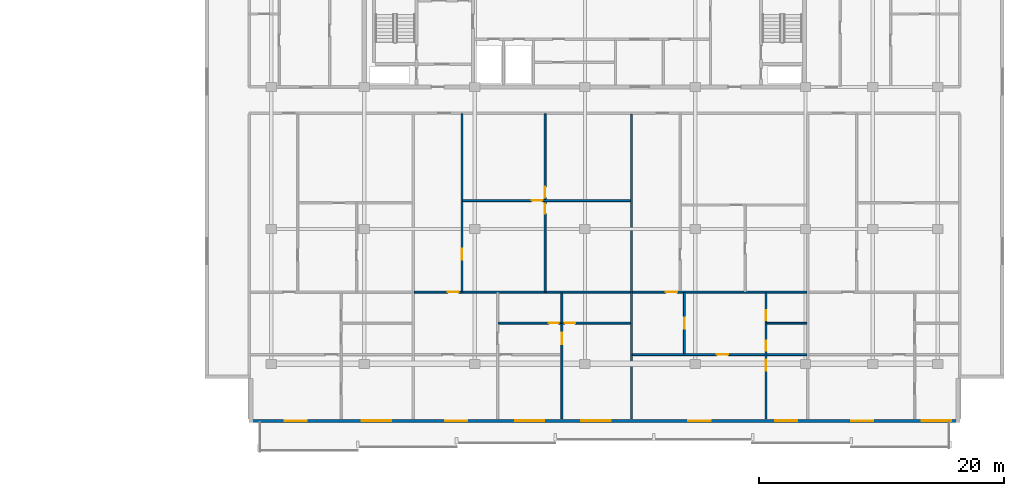
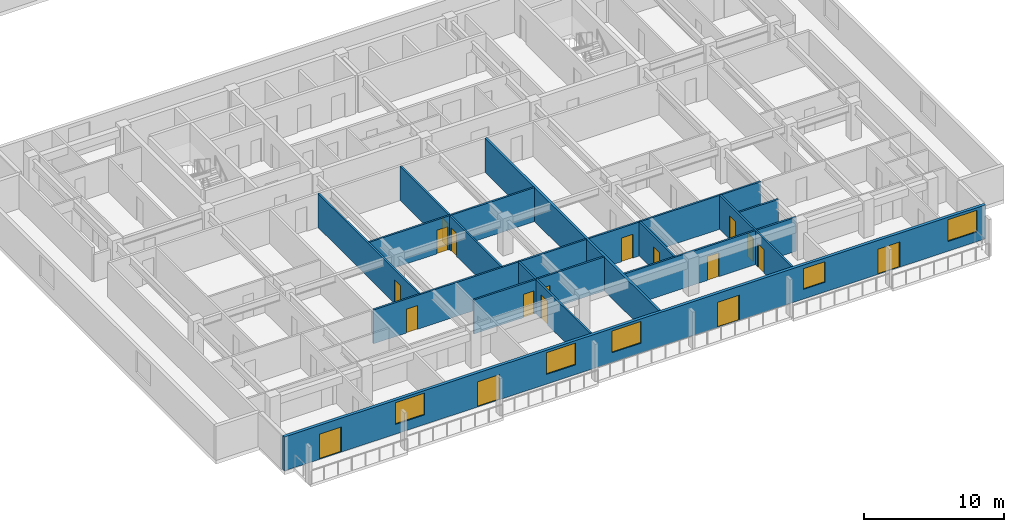
# One storey, part 5 of 22: 18 doors, 14 walls, 5 windows, 23 openings.
"""IFC4 building model written with IfcOpenShell, lengths in metres."""

from ifc_helpers import new_model, si_unit, direction, frame, frame_2d, origin, place, context, subcontext, project, spatial, rectangle, extrude, material, layer, layer_set, type_object, element, fill, save


model = new_model("IFC4")

# Units and contexts
model_context = context("Model", 3, precision=1e-05, world=origin(), true_north=direction((0.0, 1.0)))
body_context = subcontext(model_context, "Body", "Model", "MODEL_VIEW")
ifc_project = project(units=[si_unit("LENGTHUNIT", "METRE"), si_unit("AREAUNIT", "SQUARE_METRE"), si_unit("VOLUMEUNIT", "CUBIC_METRE"), si_unit("PLANEANGLEUNIT", "RADIAN"), si_unit("MASSUNIT", "GRAM", prefix="KILO")], contexts=[model_context])

# Site, building, storey
site_placement = place(None, origin())
site = spatial("IfcSite", under=ifc_project, at=site_placement, CompositionType="ELEMENT")
building_placement = place(site_placement, origin())
building = spatial("IfcBuilding", under=site, at=building_placement, Name="Korimba Cascade Residences", CompositionType="ELEMENT")
storey_placement = place(building_placement, frame((0.0, 0.0, 80.800048828125)))
storey = spatial("IfcBuildingStorey", under=building, at=storey_placement, Name="L22", CompositionType="ELEMENT", Elevation=80.800048828125)

# Wall, openings, doors, windows
ifc_material_1 = material(Name="Precast concrete C40/50", Category="concrete")
ifc_layer_1 = layer(ifc_material_1, 0.25)
ifc_layer_set_1 = layer_set([ifc_layer_1], Name="Precast concrete C40/50")
wall_type_1 = type_object("IfcWallType", Name="EW-LOG-250", PredefinedType="STANDARD", material=ifc_layer_set_1)
wall_1_placement = place(storey_placement, frame((72.699951171875, -8.85009765625, 0.0), z_axis=(0.0, 0.0, 1.0), x_axis=(1.0, 0.0, 0.0)))
wall_1 = element("IfcWall", 1, at=wall_1_placement, inside=storey, type_object=wall_type_1, Name="L22 T2 Perimeter Stone Wall E00", PredefinedType="STANDARD", context=body_context, shape_type="SweptSolid", body=[
    extrude(rectangle(XDim=58.0, YDim=0.25, at=frame_2d((29.0, 0.0))), origin(), (0.0, 0.0, 1.0), 2.969970703125),
])
opening_1_placement = place(wall_1_placement, frame((2.919921875, 0.0, 0.0)))
opening_1 = element("IfcOpeningElement", 2, at=opening_1_placement, cuts=wall_1, Name="Opening D-LG1", PredefinedType="OPENING", context=body_context, shape_type="SweptSolid", body=[
    extrude(rectangle(XDim=1.800048828125, YDim=2.199951171875, at=frame_2d((0.89990234375, 1.10009765625))), frame((0.0, 0.135009765625, 0.0), z_axis=(0.0, -1.0, 0.0), x_axis=(1.0, 0.0, 0.0)), (0.0, 0.0, 1.0), 0.27001953125),
])
opening_2_placement = place(wall_1_placement, frame((9.199951171875, 0.0, 0.85009765625)))
opening_2 = element("IfcOpeningElement", 3, at=opening_2_placement, cuts=wall_1, Name="Opening W-01", PredefinedType="OPENING", context=body_context, shape_type="SweptSolid", body=[
    extrude(rectangle(XDim=2.39990234375, YDim=1.89990234375, at=frame_2d((1.199951171875, 0.949951171875))), frame((0.0, 0.135009765625, 0.0), z_axis=(0.0, -1.0, 0.0), x_axis=(1.0, 0.0, 0.0)), (0.0, 0.0, 1.0), 0.27001953125),
])
opening_3_placement = place(wall_1_placement, frame((21.699951171875, 0.0, 0.85009765625)))
opening_3 = element("IfcOpeningElement", 4, at=opening_3_placement, cuts=wall_1, Name="Opening W-01", PredefinedType="OPENING", context=body_context, shape_type="SweptSolid", body=[
    extrude(rectangle(XDim=2.39990234375, YDim=1.89990234375, at=frame_2d((1.199951171875, 0.949951171875))), frame((0.0, 0.135009765625, 0.0), z_axis=(0.0, -1.0, 0.0), x_axis=(1.0, 0.0, 0.0)), (0.0, 0.0, 1.0), 0.27001953125),
])
opening_4_placement = place(wall_1_placement, frame((16.0, 0.0, 0.0)))
opening_4 = element("IfcOpeningElement", 5, at=opening_4_placement, cuts=wall_1, Name="Opening D-LG1", PredefinedType="OPENING", context=body_context, shape_type="SweptSolid", body=[
    extrude(rectangle(XDim=1.800048828125, YDim=2.199951171875, at=frame_2d((0.89990234375, 1.10009765625))), frame((0.0, 0.135009765625, 0.0), z_axis=(0.0, -1.0, 0.0), x_axis=(1.0, 0.0, 0.0)), (0.0, 0.0, 1.0), 0.27001953125),
])
opening_5_placement = place(wall_1_placement, frame((27.10009765625, 0.0, 0.85009765625)))
opening_5 = element("IfcOpeningElement", 6, at=opening_5_placement, cuts=wall_1, Name="Opening W-01", PredefinedType="OPENING", context=body_context, shape_type="SweptSolid", body=[
    extrude(rectangle(XDim=2.39990234375, YDim=1.89990234375, at=frame_2d((1.199951171875, 0.949951171875))), frame((0.0, 0.135009765625, 0.0), z_axis=(0.0, -1.0, 0.0), x_axis=(1.0, 0.0, 0.0)), (0.0, 0.0, 1.0), 0.27001953125),
])
opening_6_placement = place(wall_1_placement, frame((35.85009765625, 0.0, 0.0)))
opening_6 = element("IfcOpeningElement", 7, at=opening_6_placement, cuts=wall_1, Name="Opening D-LG1", PredefinedType="OPENING", context=body_context, shape_type="SweptSolid", body=[
    extrude(rectangle(XDim=1.800048828125, YDim=2.199951171875, at=frame_2d((0.89990234375, 1.10009765625))), frame((0.0, 0.135009765625, 0.0), z_axis=(0.0, -1.0, 0.0), x_axis=(1.0, 0.0, 0.0)), (0.0, 0.0, 1.0), 0.27001953125),
])
opening_7_placement = place(wall_1_placement, frame((42.929931640625, 0.0, 0.85009765625)))
opening_7 = element("IfcOpeningElement", 8, at=opening_7_placement, cuts=wall_1, Name="Opening W-02", PredefinedType="OPENING", context=body_context, shape_type="SweptSolid", body=[
    extrude(rectangle(XDim=1.800048828125, YDim=1.800048828125, at=frame_2d((0.89990234375, 0.89990234375))), frame((0.0, 0.135009765625, 0.0), z_axis=(0.0, -1.0, 0.0), x_axis=(1.0, 0.0, 0.0)), (0.0, 0.0, 1.0), 0.27001953125),
])
opening_8_placement = place(wall_1_placement, frame((49.1201171875, 0.0, 0.0)))
opening_8 = element("IfcOpeningElement", 9, at=opening_8_placement, cuts=wall_1, Name="Opening D-LG1", PredefinedType="OPENING", context=body_context, shape_type="SweptSolid", body=[
    extrude(rectangle(XDim=1.800048828125, YDim=2.199951171875, at=frame_2d((0.89990234375, 1.10009765625))), frame((0.0, 0.135009765625, 0.0), z_axis=(0.0, -1.0, 0.0), x_axis=(1.0, 0.0, 0.0)), (0.0, 0.0, 1.0), 0.27001953125),
])
opening_9_placement = place(wall_1_placement, frame((54.89990234375, 0.0, 0.85009765625)))
opening_9 = element("IfcOpeningElement", 10, at=opening_9_placement, cuts=wall_1, Name="Opening W-01", PredefinedType="OPENING", context=body_context, shape_type="SweptSolid", body=[
    extrude(rectangle(XDim=2.39990234375, YDim=1.89990234375, at=frame_2d((1.199951171875, 0.949951171875))), frame((0.0, 0.135009765625, 0.0), z_axis=(0.0, -1.0, 0.0), x_axis=(1.0, 0.0, 0.0)), (0.0, 0.0, 1.0), 0.27001953125),
])
ifc_material_2 = material(Name="Glazed Aluminium Loggia Sliding Door", Category="aluminium")
door_type_1 = type_object("IfcDoorType", Name="DR-EXT-LOG", OperationType="NOTDEFINED", PredefinedType="DOOR", material=ifc_material_2)
door_1_placement = place(opening_1_placement, origin())
door_1 = element("IfcDoor", 11, at=door_1_placement, inside=storey, type_object=door_type_1, Name="L22 T2 Loggia Sliding Door 3", OperationType="SLIDING_TO_RIGHT", OverallHeight=2.199951171875, OverallWidth=1.800048828125, PredefinedType="DOOR", context=body_context, shape_type="SweptSolid", body=[
    extrude(rectangle(XDim=1.800048828125, YDim=2.199951171875, at=frame_2d((0.89990234375, 1.10009765625))), frame((0.0, 0.02490234375, 0.0), z_axis=(0.0, -1.0, 0.0), x_axis=(1.0, 0.0, 0.0)), (0.0, 0.0, 1.0), 0.050048828125),
])
fill(opening_1, door_1)
door_2_placement = place(opening_4_placement, origin())
door_2 = element("IfcDoor", 12, at=door_2_placement, inside=storey, type_object=door_type_1, Name="L22 T2 Loggia Sliding Door 6", OperationType="SLIDING_TO_RIGHT", OverallHeight=2.199951171875, OverallWidth=1.800048828125, PredefinedType="DOOR", context=body_context, shape_type="SweptSolid", body=[
    extrude(rectangle(XDim=1.800048828125, YDim=2.199951171875, at=frame_2d((0.89990234375, 1.10009765625))), frame((0.0, 0.02490234375, 0.0), z_axis=(0.0, -1.0, 0.0), x_axis=(1.0, 0.0, 0.0)), (0.0, 0.0, 1.0), 0.050048828125),
])
fill(opening_4, door_2)
door_3_placement = place(opening_6_placement, origin())
door_3 = element("IfcDoor", 13, at=door_3_placement, inside=storey, type_object=door_type_1, Name="L22 T2 Loggia Sliding Door 8", OperationType="SLIDING_TO_RIGHT", OverallHeight=2.199951171875, OverallWidth=1.800048828125, PredefinedType="DOOR", context=body_context, shape_type="SweptSolid", body=[
    extrude(rectangle(XDim=1.800048828125, YDim=2.199951171875, at=frame_2d((0.89990234375, 1.10009765625))), frame((0.0, 0.02490234375, 0.0), z_axis=(0.0, -1.0, 0.0), x_axis=(1.0, 0.0, 0.0)), (0.0, 0.0, 1.0), 0.050048828125),
])
fill(opening_6, door_3)
door_4_placement = place(opening_8_placement, origin())
door_4 = element("IfcDoor", 14, at=door_4_placement, inside=storey, type_object=door_type_1, Name="L22 T2 Loggia Sliding Door 10", OperationType="SLIDING_TO_RIGHT", OverallHeight=2.199951171875, OverallWidth=1.800048828125, PredefinedType="DOOR", context=body_context, shape_type="SweptSolid", body=[
    extrude(rectangle(XDim=1.800048828125, YDim=2.199951171875, at=frame_2d((0.89990234375, 1.10009765625))), frame((0.0, 0.02490234375, 0.0), z_axis=(0.0, -1.0, 0.0), x_axis=(1.0, 0.0, 0.0)), (0.0, 0.0, 1.0), 0.050048828125),
])
fill(opening_8, door_4)
ifc_material_3 = material(Name="Double-Glazed Aluminium Window", Category="aluminium")
window_type_1 = type_object("IfcWindowType", Name="WIN-BED-1800", PartitioningType="SINGLE_PANEL", PredefinedType="WINDOW", material=ifc_material_3)
window_1_placement = place(opening_7_placement, origin())
window_1 = element("IfcWindow", 15, at=window_1_placement, inside=storey, type_object=window_type_1, Name="L22 T2 South Facade Window 9", OverallHeight=1.800048828125, OverallWidth=1.800048828125, PartitioningType="SINGLE_PANEL", PredefinedType="WINDOW", context=body_context, shape_type="SweptSolid", body=[
    extrude(rectangle(XDim=1.800048828125, YDim=1.800048828125, at=frame_2d((0.89990234375, 0.89990234375))), frame((0.0, 0.030029296875, 0.0), z_axis=(0.0, -1.0, 0.0), x_axis=(1.0, 0.0, 0.0)), (0.0, 0.0, 1.0), 0.06005859375),
])
fill(opening_7, window_1)
window_type_2 = type_object("IfcWindowType", Name="WIN-RES-2400", PartitioningType="DOUBLE_PANEL_VERTICAL", PredefinedType="WINDOW", material=ifc_material_3)
window_2_placement = place(opening_2_placement, origin())
window_2 = element("IfcWindow", 16, at=window_2_placement, inside=storey, type_object=window_type_2, Name="L22 T2 South Facade Window 4", OverallHeight=1.89990234375, OverallWidth=2.39990234375, PartitioningType="DOUBLE_PANEL_VERTICAL", PredefinedType="WINDOW", context=body_context, shape_type="SweptSolid", body=[
    extrude(rectangle(XDim=2.39990234375, YDim=1.89990234375, at=frame_2d((1.199951171875, 0.949951171875))), frame((0.0, 0.030029296875, 0.0), z_axis=(0.0, -1.0, 0.0), x_axis=(1.0, 0.0, 0.0)), (0.0, 0.0, 1.0), 0.06005859375),
])
fill(opening_2, window_2)
window_3_placement = place(opening_3_placement, origin())
window_3 = element("IfcWindow", 17, at=window_3_placement, inside=storey, type_object=window_type_2, Name="L22 T2 South Facade Window 5", OverallHeight=1.89990234375, OverallWidth=2.39990234375, PartitioningType="DOUBLE_PANEL_VERTICAL", PredefinedType="WINDOW", context=body_context, shape_type="SweptSolid", body=[
    extrude(rectangle(XDim=2.39990234375, YDim=1.89990234375, at=frame_2d((1.199951171875, 0.949951171875))), frame((0.0, 0.030029296875, 0.0), z_axis=(0.0, -1.0, 0.0), x_axis=(1.0, 0.0, 0.0)), (0.0, 0.0, 1.0), 0.06005859375),
])
fill(opening_3, window_3)
window_4_placement = place(opening_5_placement, origin())
window_4 = element("IfcWindow", 18, at=window_4_placement, inside=storey, type_object=window_type_2, Name="L22 T2 South Facade Window 7", OverallHeight=1.89990234375, OverallWidth=2.39990234375, PartitioningType="DOUBLE_PANEL_VERTICAL", PredefinedType="WINDOW", context=body_context, shape_type="SweptSolid", body=[
    extrude(rectangle(XDim=2.39990234375, YDim=1.89990234375, at=frame_2d((1.199951171875, 0.949951171875))), frame((0.0, 0.030029296875, 0.0), z_axis=(0.0, -1.0, 0.0), x_axis=(1.0, 0.0, 0.0)), (0.0, 0.0, 1.0), 0.06005859375),
])
fill(opening_5, window_4)
window_5_placement = place(opening_9_placement, origin())
window_5 = element("IfcWindow", 19, at=window_5_placement, inside=storey, type_object=window_type_2, Name="L22 T2 South Facade Window 11", OverallHeight=1.89990234375, OverallWidth=2.39990234375, PartitioningType="DOUBLE_PANEL_VERTICAL", PredefinedType="WINDOW", context=body_context, shape_type="SweptSolid", body=[
    extrude(rectangle(XDim=2.39990234375, YDim=1.89990234375, at=frame_2d((1.199951171875, 0.949951171875))), frame((0.0, 0.030029296875, 0.0), z_axis=(0.0, -1.0, 0.0), x_axis=(1.0, 0.0, 0.0)), (0.0, 0.0, 1.0), 0.06005859375),
])
fill(opening_9, window_5)

# Wall
ifc_layer_2 = layer(ifc_material_1, 0.199951171875)
ifc_layer_set_2 = layer_set([ifc_layer_2], Name="Precast concrete C40/50")
wall_type_2 = type_object("IfcWallType", Name="WAL-IT-200", PredefinedType="PARTITIONING", material=ifc_layer_set_2)
wall_2_placement = place(storey_placement, frame((103.89990234375, -8.699951171875, 0.0), z_axis=(0.0, 0.0, 1.0), x_axis=(0.0, 1.0, 0.0)))
element("IfcWall", 20, at=wall_2_placement, inside=storey, type_object=wall_type_2, Name="L22 Partition Wall WAL-L22-T2-DEM-2", PredefinedType="PARTITIONING", context=body_context, shape_type="SweptSolid", body=[
    extrude(rectangle(XDim=24.869873046875, YDim=0.199951171875, at=frame_2d((12.43505859375, 0.0))), origin(), (0.0, 0.0, 1.0), 2.969970703125),
])

# Wall, openings, doors
ifc_material_4 = material(Name="Insulated Acoustic Stud Partition", Category="gypsum")
ifc_layer_3 = layer(ifc_material_4, 0.14990234375)
ifc_layer_set_3 = layer_set([ifc_layer_3], Name="Insulated Acoustic Stud Partition")
wall_type_3 = type_object("IfcWallType", Name="WAL-PART-150", PredefinedType="PARTITIONING", material=ifc_layer_set_3)
wall_3_placement = place(storey_placement, frame((96.85498046875, 1.68994140625, 0.0), z_axis=(0.0, 0.0, 1.0), x_axis=(0.0, 1.0, 0.0)))
wall_3 = element("IfcWall", 21, at=wall_3_placement, inside=storey, type_object=wall_type_3, Name="L22 Partition Wall WAL-L22-T2-U02-FMV", PredefinedType="PARTITIONING", context=body_context, shape_type="SweptSolid", body=[
    extrude(rectangle(XDim=14.5, YDim=0.14990234375, at=frame_2d((7.25, 0.0))), origin(), (0.0, 0.0, 1.0), 2.969970703125),
])
opening_10_placement = place(wall_3_placement, frame((6.340087890625, 0.0, 0.0)))
opening_10 = element("IfcOpeningElement", 22, at=opening_10_placement, cuts=wall_3, Name="Opening D-BT1", PredefinedType="OPENING", context=body_context, shape_type="SweptSolid", body=[
    extrude(rectangle(XDim=0.840087890625, YDim=2.0400390625, at=frame_2d((0.419921875, 1.02001953125))), frame((0.0, 0.0849609375, 0.0), z_axis=(0.0, -1.0, 0.0), x_axis=(1.0, 0.0, 0.0)), (0.0, 0.0, 1.0), 0.169921875),
])
opening_11_placement = place(wall_3_placement, frame((7.679931640625, 0.0, 0.0)))
opening_11 = element("IfcOpeningElement", 23, at=opening_11_placement, cuts=wall_3, Name="Opening D-IN2", PredefinedType="OPENING", context=body_context, shape_type="SweptSolid", body=[
    extrude(rectangle(XDim=0.8798828125, YDim=2.06005859375, at=frame_2d((0.43994140625, 1.030029296875))), frame((0.0, 0.0849609375, 0.0), z_axis=(0.0, -1.0, 0.0), x_axis=(1.0, 0.0, 0.0)), (0.0, 0.0, 1.0), 0.169921875),
])
ifc_material_5 = material(Name="Moisture-Resistant Bathroom Timber Door", Category="wood")
door_type_2 = type_object("IfcDoorType", Name="DR-INT-850", OperationType="NOTDEFINED", PredefinedType="DOOR", material=ifc_material_5)
door_5_placement = place(opening_10_placement, origin())
door_5 = element("IfcDoor", 24, at=door_5_placement, inside=storey, type_object=door_type_2, Name="L22-T2-U02 Wardrobe Door", OperationType="SINGLE_SWING_RIGHT", OverallHeight=2.0400390625, OverallWidth=0.840087890625, PredefinedType="DOOR", context=body_context, shape_type="SweptSolid", body=[
    extrude(rectangle(XDim=0.840087890625, YDim=2.0400390625, at=frame_2d((0.419921875, 1.02001953125))), frame((0.0, 0.02490234375, 0.0), z_axis=(0.0, -1.0, 0.0), x_axis=(1.0, 0.0, 0.0)), (0.0, 0.0, 1.0), 0.050048828125),
])
fill(opening_10, door_5)
ifc_material_6 = material(Name="Acoustic Timber Bedroom Door", Category="wood")
door_type_3 = type_object("IfcDoorType", Name="DR-INT-880", OperationType="NOTDEFINED", PredefinedType="DOOR", material=ifc_material_6)
door_6_placement = place(opening_11_placement, origin())
door_6 = element("IfcDoor", 25, at=door_6_placement, inside=storey, type_object=door_type_3, Name="L22-T2-U02 Music Lounge Door", OperationType="SINGLE_SWING_LEFT", OverallHeight=2.06005859375, OverallWidth=0.8798828125, PredefinedType="DOOR", context=body_context, shape_type="SweptSolid", body=[
    extrude(rectangle(XDim=0.8798828125, YDim=2.06005859375, at=frame_2d((0.43994140625, 1.030029296875))), frame((0.0, 0.02490234375, 0.0), z_axis=(0.0, -1.0, 0.0), x_axis=(1.0, 0.0, 0.0)), (0.0, 0.0, 1.0), 0.050048828125),
])
fill(opening_11, door_6)

# Wall, opening, door
wall_4_placement = place(storey_placement, frame((90.1298828125, 9.1201171875, 0.0), z_axis=(0.0, 0.0, 1.0), x_axis=(1.0, 0.0, 0.0)))
wall_4 = element("IfcWall", 26, at=wall_4_placement, inside=storey, type_object=wall_type_3, Name="L22 Partition Wall WAL-L22-T2-U02-FMH", PredefinedType="PARTITIONING", context=body_context, shape_type="SweptSolid", body=[
    extrude(rectangle(XDim=13.690185546875, YDim=0.14990234375, at=frame_2d((6.84521484375, 0.0))), origin(), (0.0, 0.0, 1.0), 2.969970703125),
])
opening_12_placement = place(wall_4_placement, frame((5.625, 0.0, 0.0)))
opening_12 = element("IfcOpeningElement", 27, at=opening_12_placement, cuts=wall_4, Name="Opening D-IN2", PredefinedType="OPENING", context=body_context, shape_type="SweptSolid", body=[
    extrude(rectangle(XDim=0.8798828125, YDim=2.06005859375, at=frame_2d((0.43994140625, 1.030029296875))), frame((0.0, 0.0849609375, 0.0), z_axis=(0.0, -1.0, 0.0), x_axis=(1.0, 0.0, 0.0)), (0.0, 0.0, 1.0), 0.169921875),
])
door_7_placement = place(opening_12_placement, origin())
door_7 = element("IfcDoor", 28, at=door_7_placement, inside=storey, type_object=door_type_3, Name="L22-T2-U02 Library Salon Door", OperationType="SINGLE_SWING_RIGHT", OverallHeight=2.06005859375, OverallWidth=0.8798828125, PredefinedType="DOOR", context=body_context, shape_type="SweptSolid", body=[
    extrude(rectangle(XDim=0.8798828125, YDim=2.06005859375, at=frame_2d((0.43994140625, 1.030029296875))), frame((0.0, 0.02490234375, 0.0), z_axis=(0.0, -1.0, 0.0), x_axis=(1.0, 0.0, 0.0)), (0.0, 0.0, 1.0), 0.050048828125),
])
fill(opening_12, door_7)

wall_5_placement = place(storey_placement, frame((90.070068359375, 1.68994140625, 0.0), z_axis=(0.0, 0.0, 1.0), x_axis=(0.0, 1.0, 0.0)))
wall_5 = element("IfcWall", 29, at=wall_5_placement, inside=storey, type_object=wall_type_3, Name="L22 Partition Wall WAL-L22-T2-U02-FV", PredefinedType="PARTITIONING", context=body_context, shape_type="SweptSolid", body=[
    extrude(rectangle(XDim=14.5, YDim=0.14990234375, at=frame_2d((7.25, 0.0))), origin(), (0.0, 0.0, 1.0), 2.969970703125),
])
opening_13_placement = place(wall_5_placement, frame((2.611083984375, 0.0, 0.0)))
opening_13 = element("IfcOpeningElement", 30, at=opening_13_placement, cuts=wall_5, Name="Opening D-IN2", PredefinedType="OPENING", context=body_context, shape_type="SweptSolid", body=[
    extrude(rectangle(XDim=0.8798828125, YDim=2.06005859375, at=frame_2d((0.43994140625, 1.030029296875))), frame((0.0, 0.0849609375, 0.0), z_axis=(0.0, -1.0, 0.0), x_axis=(1.0, 0.0, 0.0)), (0.0, 0.0, 1.0), 0.169921875),
])
door_8_placement = place(opening_13_placement, origin())
door_8 = element("IfcDoor", 31, at=door_8_placement, inside=storey, type_object=door_type_3, Name="L22-T2-U02 Media Lounge Door", OperationType="SINGLE_SWING_LEFT", OverallHeight=2.06005859375, OverallWidth=0.8798828125, PredefinedType="DOOR", context=body_context, shape_type="SweptSolid", body=[
    extrude(rectangle(XDim=0.8798828125, YDim=2.06005859375, at=frame_2d((0.43994140625, 1.030029296875))), frame((0.0, 0.02490234375, 0.0), z_axis=(0.0, -1.0, 0.0), x_axis=(1.0, 0.0, 0.0)), (0.0, 0.0, 1.0), 0.050048828125),
])
fill(opening_13, door_8)

# Wall
wall_6_placement = place(storey_placement, frame((98.219970703125, -0.860107421875, 0.0), z_axis=(0.0, 0.0, 1.0), x_axis=(0.0, 1.0, 0.0)))
element("IfcWall", 32, at=wall_6_placement, inside=storey, type_object=wall_type_3, Name="L22 Partition Wall WAL-L22-T2-U02-VBATH", PredefinedType="PARTITIONING", context=body_context, shape_type="SweptSolid", body=[
    extrude(rectangle(XDim=2.47021484375, YDim=0.14990234375, at=frame_2d((1.235107421875, 0.0))), origin(), (0.0, 0.0, 1.0), 2.969970703125),
])

# Wall, opening, door
wall_7_placement = place(storey_placement, frame((98.219970703125, -8.699951171875, 0.0), z_axis=(0.0, 0.0, 1.0), x_axis=(0.0, 1.0, 0.0)))
wall_7 = element("IfcWall", 33, at=wall_7_placement, inside=storey, type_object=wall_type_3, Name="L22 Partition Wall WAL-L22-T2-U02-V2FULL", PredefinedType="PARTITIONING", context=body_context, shape_type="SweptSolid", body=[
    extrude(rectangle(XDim=7.800048828125, YDim=0.14990234375, at=frame_2d((3.89990234375, 0.0))), origin(), (0.0, 0.0, 1.0), 2.969970703125),
])
opening_14_placement = place(wall_7_placement, frame((6.115966796875, 0.0, 0.0)))
opening_14 = element("IfcOpeningElement", 34, at=opening_14_placement, cuts=wall_7, Name="Opening D-IN1", PredefinedType="OPENING", context=body_context, shape_type="SweptSolid", body=[
    extrude(rectangle(XDim=0.919921875, YDim=2.080078125, at=frame_2d((0.4599609375, 1.0400390625))), frame((0.0, 0.0849609375, 0.0), z_axis=(0.0, -1.0, 0.0), x_axis=(1.0, 0.0, 0.0)), (0.0, 0.0, 1.0), 0.169921875),
])
ifc_material_7 = material(Name="Acoustic Timber Living Door", Category="wood")
door_type_4 = type_object("IfcDoorType", Name="DR-INT-920", OperationType="NOTDEFINED", PredefinedType="DOOR", material=ifc_material_7)
door_9_placement = place(opening_14_placement, origin())
door_9 = element("IfcDoor", 35, at=door_9_placement, inside=storey, type_object=door_type_4, Name="L22-T2-U02 Master Bedroom Door", OperationType="SINGLE_SWING_LEFT", OverallHeight=2.080078125, OverallWidth=0.919921875, PredefinedType="DOOR", context=body_context, shape_type="SweptSolid", body=[
    extrude(rectangle(XDim=0.919921875, YDim=2.080078125, at=frame_2d((0.4599609375, 1.0400390625))), frame((0.0, 0.02490234375, 0.0), z_axis=(0.0, -1.0, 0.0), x_axis=(1.0, 0.0, 0.0)), (0.0, 0.0, 1.0), 0.050048828125),
])
fill(opening_14, door_9)

# Wall, openings, doors
wall_8_placement = place(storey_placement, frame((93.02001953125, -0.8798828125, 0.0), z_axis=(0.0, 0.0, 1.0), x_axis=(1.0, 0.0, 0.0)))
wall_8 = element("IfcWall", 36, at=wall_8_placement, inside=storey, type_object=wall_type_3, Name="L22 Partition Wall WAL-L22-T2-U02-HWALL", PredefinedType="PARTITIONING", context=body_context, shape_type="SweptSolid", body=[
    extrude(rectangle(XDim=10.800048828125, YDim=0.14990234375, at=frame_2d((5.39990234375, 0.0))), origin(), (0.0, 0.0, 1.0), 2.969970703125),
])
opening_15_placement = place(wall_8_placement, frame((4.110107421875, 0.0, 0.0)))
opening_15 = element("IfcOpeningElement", 37, at=opening_15_placement, cuts=wall_8, Name="Opening D-BT1", PredefinedType="OPENING", context=body_context, shape_type="SweptSolid", body=[
    extrude(rectangle(XDim=0.840087890625, YDim=2.0400390625, at=frame_2d((0.419921875, 1.02001953125))), frame((0.0, 0.0849609375, 0.0), z_axis=(0.0, -1.0, 0.0), x_axis=(1.0, 0.0, 0.0)), (0.0, 0.0, 1.0), 0.169921875),
])
opening_16_placement = place(wall_8_placement, frame((5.449951171875, 0.0, 0.0)))
opening_16 = element("IfcOpeningElement", 38, at=opening_16_placement, cuts=wall_8, Name="Opening D-BT1", PredefinedType="OPENING", context=body_context, shape_type="SweptSolid", body=[
    extrude(rectangle(XDim=0.840087890625, YDim=2.0400390625, at=frame_2d((0.419921875, 1.02001953125))), frame((0.0, 0.0849609375, 0.0), z_axis=(0.0, -1.0, 0.0), x_axis=(1.0, 0.0, 0.0)), (0.0, 0.0, 1.0), 0.169921875),
])
door_10_placement = place(opening_15_placement, origin())
door_10 = element("IfcDoor", 39, at=door_10_placement, inside=storey, type_object=door_type_2, Name="L22-T2-U02 Family Bathroom Door", OperationType="SINGLE_SWING_RIGHT", OverallHeight=2.0400390625, OverallWidth=0.840087890625, PredefinedType="DOOR", context=body_context, shape_type="SweptSolid", body=[
    extrude(rectangle(XDim=0.840087890625, YDim=2.0400390625, at=frame_2d((0.419921875, 1.02001953125))), frame((0.0, 0.02490234375, 0.0), z_axis=(0.0, -1.0, 0.0), x_axis=(1.0, 0.0, 0.0)), (0.0, 0.0, 1.0), 0.050048828125),
])
fill(opening_15, door_10)
door_11_placement = place(opening_16_placement, origin())
door_11 = element("IfcDoor", 40, at=door_11_placement, inside=storey, type_object=door_type_2, Name="L22-T2-U02 En-Suite Door", OperationType="SINGLE_SWING_LEFT", OverallHeight=2.0400390625, OverallWidth=0.840087890625, PredefinedType="DOOR", context=body_context, shape_type="SweptSolid", body=[
    extrude(rectangle(XDim=0.840087890625, YDim=2.0400390625, at=frame_2d((0.419921875, 1.02001953125))), frame((0.0, 0.02490234375, 0.0), z_axis=(0.0, -1.0, 0.0), x_axis=(1.0, 0.0, 0.0)), (0.0, 0.0, 1.0), 0.050048828125),
])
fill(opening_16, door_11)

# Wall, opening, door
wall_9_placement = place(storey_placement, frame((86.179931640625, 1.64990234375, 0.0), z_axis=(0.0, 0.0, 1.0), x_axis=(1.0, 0.0, 0.0)))
wall_9 = element("IfcWall", 41, at=wall_9_placement, inside=storey, type_object=wall_type_3, Name="L22 Partition Wall WAL-L22-T2-U02-MW", PredefinedType="PARTITIONING", context=body_context, shape_type="SweptSolid", body=[
    extrude(rectangle(XDim=17.64013671875, YDim=0.14990234375, at=frame_2d((8.820068359375, 0.0))), origin(), (0.0, 0.0, 1.0), 2.969970703125),
])
opening_17_placement = place(wall_9_placement, frame((2.719970703125, 0.0, 0.0)))
opening_17 = element("IfcOpeningElement", 42, at=opening_17_placement, cuts=wall_9, Name="Opening D-IN1", PredefinedType="OPENING", context=body_context, shape_type="SweptSolid", body=[
    extrude(rectangle(XDim=0.919921875, YDim=2.080078125, at=frame_2d((0.4599609375, 1.0400390625))), frame((0.0, 0.0849609375, 0.0), z_axis=(0.0, -1.0, 0.0), x_axis=(1.0, 0.0, 0.0)), (0.0, 0.0, 1.0), 0.169921875),
])
door_12_placement = place(opening_17_placement, origin())
door_12 = element("IfcDoor", 43, at=door_12_placement, inside=storey, type_object=door_type_4, Name="L22-T2-U02 Kitchen Door", OperationType="SINGLE_SWING_RIGHT", OverallHeight=2.080078125, OverallWidth=0.919921875, PredefinedType="DOOR", context=body_context, shape_type="SweptSolid", body=[
    extrude(rectangle(XDim=0.919921875, YDim=2.080078125, at=frame_2d((0.4599609375, 1.0400390625))), frame((0.0, 0.02490234375, 0.0), z_axis=(0.0, -1.0, 0.0), x_axis=(1.0, 0.0, 0.0)), (0.0, 0.0, 1.0), 0.050048828125),
])
fill(opening_17, door_12)

wall_10_placement = place(storey_placement, frame((108.219970703125, -3.389892578125, 0.0), z_axis=(0.0, 0.0, 1.0), x_axis=(0.0, 1.0, 0.0)))
wall_10 = element("IfcWall", 44, at=wall_10_placement, inside=storey, type_object=wall_type_3, Name="L22 Partition Wall WAL-L22-T2-U03-VDIN", PredefinedType="PARTITIONING", context=body_context, shape_type="SweptSolid", body=[
    extrude(rectangle(XDim=5.0, YDim=0.14990234375, at=frame_2d((2.5, 0.0))), origin(), (0.0, 0.0, 1.0), 2.969970703125),
])
opening_18_placement = place(wall_10_placement, frame((2.06005859375, 0.0, 0.0)))
opening_18 = element("IfcOpeningElement", 45, at=opening_18_placement, cuts=wall_10, Name="Opening D-IN2", PredefinedType="OPENING", context=body_context, shape_type="SweptSolid", body=[
    extrude(rectangle(XDim=0.8798828125, YDim=2.06005859375, at=frame_2d((0.43994140625, 1.030029296875))), frame((0.0, 0.0849609375, 0.0), z_axis=(0.0, -1.0, 0.0), x_axis=(1.0, 0.0, 0.0)), (0.0, 0.0, 1.0), 0.169921875),
])
door_13_placement = place(opening_18_placement, origin())
door_13 = element("IfcDoor", 46, at=door_13_placement, inside=storey, type_object=door_type_3, Name="L22-T2-U03 Dining Room Door", OperationType="SINGLE_SWING_RIGHT", OverallHeight=2.06005859375, OverallWidth=0.8798828125, PredefinedType="DOOR", context=body_context, shape_type="SweptSolid", body=[
    extrude(rectangle(XDim=0.8798828125, YDim=2.06005859375, at=frame_2d((0.43994140625, 1.030029296875))), frame((0.0, 0.02490234375, 0.0), z_axis=(0.0, -1.0, 0.0), x_axis=(1.0, 0.0, 0.0)), (0.0, 0.0, 1.0), 0.050048828125),
])
fill(opening_18, door_13)

# Wall
wall_11_placement = place(storey_placement, frame((114.93994140625, -0.889892578125, 0.0), z_axis=(0.0, 0.0, 1.0), x_axis=(1.0, 0.0, 0.0)))
element("IfcWall", 47, at=wall_11_placement, inside=storey, type_object=wall_type_3, Name="L22 Partition Wall WAL-L22-T2-U03-BLDIV", PredefinedType="PARTITIONING", context=body_context, shape_type="SweptSolid", body=[
    extrude(rectangle(XDim=3.280029296875, YDim=0.14990234375, at=frame_2d((1.64013671875, 0.0))), origin(), (0.0, 0.0, 1.0), 2.969970703125),
])

# Wall, openings, doors
wall_12_placement = place(storey_placement, frame((114.8798828125, -8.699951171875, 0.0), z_axis=(0.0, 0.0, 1.0), x_axis=(0.0, 1.0, 0.0)))
wall_12 = element("IfcWall", 48, at=wall_12_placement, inside=storey, type_object=wall_type_3, Name="L22 Partition Wall WAL-L22-T2-U03-V1", PredefinedType="PARTITIONING", context=body_context, shape_type="SweptSolid", body=[
    extrude(rectangle(XDim=10.31005859375, YDim=0.14990234375, at=frame_2d((5.155029296875, 0.0))), origin(), (0.0, 0.0, 1.0), 2.969970703125),
])
opening_19_placement = place(wall_12_placement, frame((5.550048828125, 0.0, 0.0)))
opening_19 = element("IfcOpeningElement", 49, at=opening_19_placement, cuts=wall_12, Name="Opening D-BT1", PredefinedType="OPENING", context=body_context, shape_type="SweptSolid", body=[
    extrude(rectangle(XDim=0.840087890625, YDim=2.0400390625, at=frame_2d((0.419921875, 1.02001953125))), frame((0.0, 0.0849609375, 0.0), z_axis=(0.0, -1.0, 0.0), x_axis=(1.0, 0.0, 0.0)), (0.0, 0.0, 1.0), 0.169921875),
])
opening_20_placement = place(wall_12_placement, frame((8.03955078125, 0.0, 0.0)))
opening_20 = element("IfcOpeningElement", 50, at=opening_20_placement, cuts=wall_12, Name="Opening D-BT1", PredefinedType="OPENING", context=body_context, shape_type="SweptSolid", body=[
    extrude(rectangle(XDim=0.840087890625, YDim=2.0400390625, at=frame_2d((0.419921875, 1.02001953125))), frame((0.0, 0.0849609375, 0.0), z_axis=(0.0, -1.0, 0.0), x_axis=(1.0, 0.0, 0.0)), (0.0, 0.0, 1.0), 0.169921875),
])
opening_21_placement = place(wall_12_placement, frame((3.949951171875, 0.0, 0.0)))
opening_21 = element("IfcOpeningElement", 51, at=opening_21_placement, cuts=wall_12, Name="Opening D-IN2", PredefinedType="OPENING", context=body_context, shape_type="SweptSolid", body=[
    extrude(rectangle(XDim=0.8798828125, YDim=2.06005859375, at=frame_2d((0.43994140625, 1.030029296875))), frame((0.0, 0.0849609375, 0.0), z_axis=(0.0, -1.0, 0.0), x_axis=(1.0, 0.0, 0.0)), (0.0, 0.0, 1.0), 0.169921875),
])
door_14_placement = place(opening_19_placement, origin())
door_14 = element("IfcDoor", 52, at=door_14_placement, inside=storey, type_object=door_type_2, Name="L22-T2-U03 Bathroom Door", OperationType="SINGLE_SWING_LEFT", OverallHeight=2.0400390625, OverallWidth=0.840087890625, PredefinedType="DOOR", context=body_context, shape_type="SweptSolid", body=[
    extrude(rectangle(XDim=0.840087890625, YDim=2.0400390625, at=frame_2d((0.419921875, 1.02001953125))), frame((0.0, 0.02490234375, 0.0), z_axis=(0.0, -1.0, 0.0), x_axis=(1.0, 0.0, 0.0)), (0.0, 0.0, 1.0), 0.050048828125),
])
fill(opening_19, door_14)
door_15_placement = place(opening_20_placement, origin())
door_15 = element("IfcDoor", 53, at=door_15_placement, inside=storey, type_object=door_type_2, Name="L22-T2-U03 Laundry Door", OperationType="SINGLE_SWING_RIGHT", OverallHeight=2.0400390625, OverallWidth=0.840087890625, PredefinedType="DOOR", context=body_context, shape_type="SweptSolid", body=[
    extrude(rectangle(XDim=0.840087890625, YDim=2.0400390625, at=frame_2d((0.419921875, 1.02001953125))), frame((0.0, 0.02490234375, 0.0), z_axis=(0.0, -1.0, 0.0), x_axis=(1.0, 0.0, 0.0)), (0.0, 0.0, 1.0), 0.050048828125),
])
fill(opening_20, door_15)
door_16_placement = place(opening_21_placement, origin())
door_16 = element("IfcDoor", 54, at=door_16_placement, inside=storey, type_object=door_type_3, Name="L22-T2-U03 Bedroom 1 Door", OperationType="SINGLE_SWING_LEFT", OverallHeight=2.06005859375, OverallWidth=0.8798828125, PredefinedType="DOOR", context=body_context, shape_type="SweptSolid", body=[
    extrude(rectangle(XDim=0.8798828125, YDim=2.06005859375, at=frame_2d((0.43994140625, 1.030029296875))), frame((0.0, 0.02490234375, 0.0), z_axis=(0.0, -1.0, 0.0), x_axis=(1.0, 0.0, 0.0)), (0.0, 0.0, 1.0), 0.050048828125),
])
fill(opening_21, door_16)

# Wall, opening, door
wall_13_placement = place(storey_placement, frame((103.97998046875, 1.64990234375, 0.0), z_axis=(0.0, 0.0, 1.0), x_axis=(1.0, 0.0, 0.0)))
wall_13 = element("IfcWall", 55, at=wall_13_placement, inside=storey, type_object=wall_type_3, Name="L22 Partition Wall WAL-L22-T2-U03-MW", PredefinedType="PARTITIONING", context=body_context, shape_type="SweptSolid", body=[
    extrude(rectangle(XDim=14.239990234375, YDim=0.14990234375, at=frame_2d((7.1201171875, 0.0))), origin(), (0.0, 0.0, 1.0), 2.969970703125),
])
opening_22_placement = place(wall_13_placement, frame((2.719970703125, 0.0, 0.0)))
opening_22 = element("IfcOpeningElement", 56, at=opening_22_placement, cuts=wall_13, Name="Opening D-IN1", PredefinedType="OPENING", context=body_context, shape_type="SweptSolid", body=[
    extrude(rectangle(XDim=0.919921875, YDim=2.080078125, at=frame_2d((0.4599609375, 1.0400390625))), frame((0.0, 0.0849609375, 0.0), z_axis=(0.0, -1.0, 0.0), x_axis=(1.0, 0.0, 0.0)), (0.0, 0.0, 1.0), 0.169921875),
])
door_17_placement = place(opening_22_placement, origin())
door_17 = element("IfcDoor", 57, at=door_17_placement, inside=storey, type_object=door_type_4, Name="L22-T2-U03 Kitchen Archway Door", OperationType="SINGLE_SWING_RIGHT", OverallHeight=2.080078125, OverallWidth=0.919921875, PredefinedType="DOOR", context=body_context, shape_type="SweptSolid", body=[
    extrude(rectangle(XDim=0.919921875, YDim=2.080078125, at=frame_2d((0.4599609375, 1.0400390625))), frame((0.0, 0.02490234375, 0.0), z_axis=(0.0, -1.0, 0.0), x_axis=(1.0, 0.0, 0.0)), (0.0, 0.0, 1.0), 0.050048828125),
])
fill(opening_22, door_17)

wall_14_placement = place(storey_placement, frame((103.97998046875, -3.449951171875, 0.0), z_axis=(0.0, 0.0, 1.0), x_axis=(1.0, 0.0, 0.0)))
wall_14 = element("IfcWall", 58, at=wall_14_placement, inside=storey, type_object=wall_type_3, Name="L22 Partition Wall WAL-L22-T2-U03-HZ", PredefinedType="PARTITIONING", context=body_context, shape_type="SweptSolid", body=[
    extrude(rectangle(XDim=14.239990234375, YDim=0.14990234375, at=frame_2d((7.1201171875, 0.0))), origin(), (0.0, 0.0, 1.0), 2.969970703125),
])
opening_23_placement = place(wall_14_placement, frame((6.8720703125, 0.0, 0.0)))
opening_23 = element("IfcOpeningElement", 59, at=opening_23_placement, cuts=wall_14, Name="Opening D-IN0", PredefinedType="OPENING", context=body_context, shape_type="SweptSolid", body=[
    extrude(rectangle(XDim=0.93994140625, YDim=2.10009765625, at=frame_2d((0.469970703125, 1.050048828125))), frame((0.0, 0.0849609375, 0.0), z_axis=(0.0, -1.0, 0.0), x_axis=(1.0, 0.0, 0.0)), (0.0, 0.0, 1.0), 0.169921875),
])
ifc_material_8 = material(Name="Acoustic Timber Living Archway Door", Category="wood")
door_type_5 = type_object("IfcDoorType", Name="DR-INT-950", OperationType="NOTDEFINED", PredefinedType="DOOR", material=ifc_material_8)
door_18_placement = place(opening_23_placement, origin())
door_18 = element("IfcDoor", 60, at=door_18_placement, inside=storey, type_object=door_type_5, Name="L22-T2-U03 Living Archway Door", OperationType="SINGLE_SWING_LEFT", OverallHeight=2.10009765625, OverallWidth=0.93994140625, PredefinedType="DOOR", context=body_context, shape_type="SweptSolid", body=[
    extrude(rectangle(XDim=0.93994140625, YDim=2.10009765625, at=frame_2d((0.469970703125, 1.050048828125))), frame((0.0, 0.02490234375, 0.0), z_axis=(0.0, -1.0, 0.0), x_axis=(1.0, 0.0, 0.0)), (0.0, 0.0, 1.0), 0.050048828125),
])
fill(opening_23, door_18)

save(model, "model.ifc")
